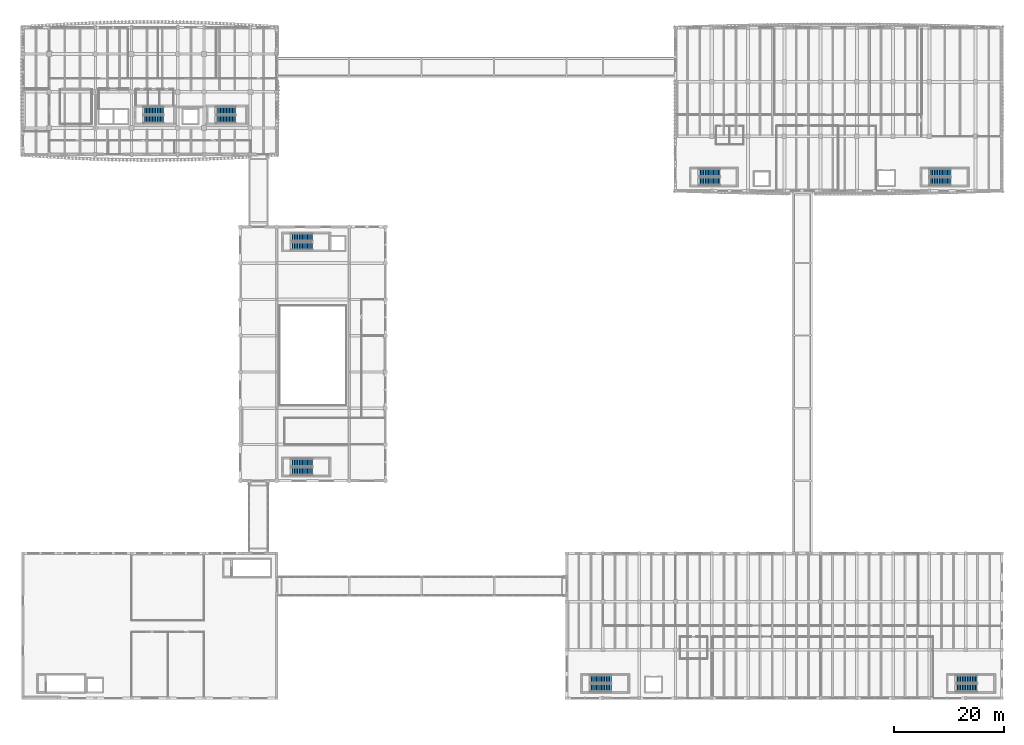
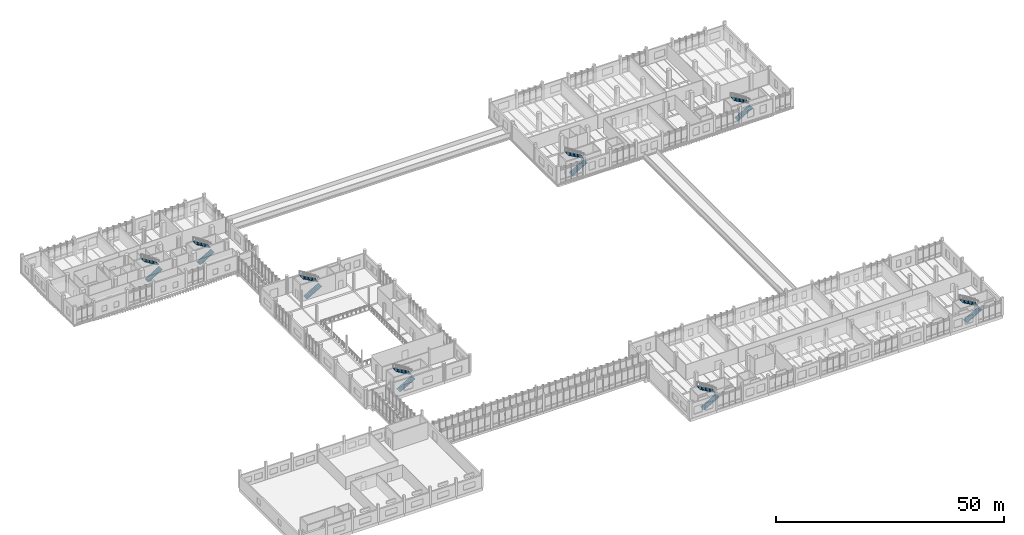
# One storey, part 79 of 101: 16 stair flights, 8 elements without a shape of their own.
"""IFC4 building model written with IfcOpenShell, lengths in metres."""

import ifcopenshell
import ifcopenshell.guid

model = None  # the IFC model being written
_history = None  # IfcOwnerHistory: only IFC2X3 demands one
_inside = {}  # id of a spatial element -> (the spatial element, [elements in it])
_under = {}  # id of a project, library or spatial element -> (it, [spatial elements below it])
_declared = {}  # id of a project -> (the project, [libraries it declares])
_typed = {}  # id of a type object -> (the type object, [elements of that type])
_made_of = {}  # id of a material, layer set ... -> (it, [elements and type objects made of it])


def new_model(schema):
    """Start an empty IFC model of exactly this schema.

    Asked for "IFC4X3", IfcOpenShell would pick the latest addendum, in which some entities
    have other attributes; the version numbers below select the first issue.
    IFC2X3 requires an IfcOwnerHistory on every rooted entity: one is made here for all.
    """
    global model, _history
    if schema == "IFC4X3":
        model = ifcopenshell.file(schema_version=(4, 3, 0, 0))
    else:
        model = ifcopenshell.file(schema=schema)
    _inside.clear()
    _under.clear()
    _declared.clear()
    _typed.clear()
    _made_of.clear()
    _history = None
    if model.schema == "IFC2X3":
        org = make("IfcOrganization", Name="unknown")
        user = make(
            "IfcPersonAndOrganization",
            ThePerson=make("IfcPerson", FamilyName="unknown"),
            TheOrganization=org,
        )
        app = make(
            "IfcApplication",
            ApplicationDeveloper=org,
            Version="unknown",
            ApplicationFullName="unknown",
            ApplicationIdentifier="unknown",
        )
        _history = make(
            "IfcOwnerHistory",
            OwningUser=user,
            OwningApplication=app,
            ChangeAction="ADDED",
            CreationDate=0,
        )
    return model


def make(cls, **values):
    """One entity of the class cls with the attributes given. An attribute that is None is left unset."""
    return model.create_entity(
        cls, **{name: value for name, value in values.items() if value is not None}
    )


def rooted(cls, **values):
    """An entity with a GlobalId (a new one), such as an element, a storey or a relation."""
    return make(cls, GlobalId=ifcopenshell.guid.new(), OwnerHistory=_history, **values)


def si_unit(unit_type, name, prefix=None):
    """IfcSIUnit, for example si_unit("LENGTHUNIT", "METRE", prefix="MILLI")."""
    return make("IfcSIUnit", UnitType=unit_type, Prefix=prefix, Name=name)


def assignment(units):
    """IfcUnitAssignment: the units of a project."""
    return None if units is None else make("IfcUnitAssignment", Units=units)


def point(xyz):
    """IfcCartesianPoint."""
    return None if xyz is None else make("IfcCartesianPoint", Coordinates=xyz)


def direction(xyz):
    """IfcDirection."""
    return None if xyz is None else make("IfcDirection", DirectionRatios=xyz)


def frame(location, z_axis=None, x_axis=None):
    """IfcAxis2Placement3D, a coordinate frame: its origin and axes. An axis left out is left unset."""
    return make(
        "IfcAxis2Placement3D",
        Location=point(location),
        Axis=direction(z_axis),
        RefDirection=direction(x_axis),
    )


def origin():
    """The frame at (0, 0, 0) with its axes left unset."""
    return frame((0.0, 0.0, 0.0))


def place(relative_to, where):
    """IfcLocalPlacement: puts the frame where relative to a parent placement (None: the world)."""
    return make(
        "IfcLocalPlacement", PlacementRelTo=relative_to, RelativePlacement=where
    )


def context(
    kind, dimensions, precision=None, world=None, true_north=None, identifier=None
):
    """IfcGeometricRepresentationContext, for example the 3D "Model" context."""
    return make(
        "IfcGeometricRepresentationContext",
        ContextIdentifier=identifier,
        ContextType=kind,
        CoordinateSpaceDimension=dimensions,
        Precision=precision,
        WorldCoordinateSystem=world,
        TrueNorth=true_north,
    )


def subcontext(parent, identifier, kind, view, scale=None):
    """IfcGeometricRepresentationSubContext, for example "Body" below "Model"."""
    return make(
        "IfcGeometricRepresentationSubContext",
        ContextIdentifier=identifier,
        ContextType=kind,
        ParentContext=parent,
        TargetScale=scale,
        TargetView=view,
    )


def project(units=None, contexts=None):
    """IfcProject with its units and contexts."""
    return rooted(
        "IfcProject",
        Name="project",
        RepresentationContexts=contexts,
        UnitsInContext=assignment(units),
    )


def spatial(cls, under=None, at=None, **own):
    """A site, building, storey or space (cls), placed at a placement, below another one or the project."""
    s = rooted(cls, ObjectPlacement=at, **own)
    if under is not None:
        _under.setdefault(under.id(), (under, []))[1].append(s)
    return s


def polyline(points):
    """IfcPolyline through the points."""
    return make("IfcPolyline", Points=[point(p) for p in points])


def outline(outer, holes=None, kind="AREA"):
    """IfcArbitraryClosedProfileDef: a profile drawn as a closed curve; with holes, ...WithVoids."""
    if holes is None:
        return make("IfcArbitraryClosedProfileDef", ProfileType=kind, OuterCurve=outer)
    return make(
        "IfcArbitraryProfileDefWithVoids",
        ProfileType=kind,
        OuterCurve=outer,
        InnerCurves=holes,
    )


def extrude(swept, where, along, depth):
    """IfcExtrudedAreaSolid: the profile swept, set in the frame where, extruded along a direction by depth."""
    return make(
        "IfcExtrudedAreaSolid",
        SweptArea=swept,
        Position=where,
        ExtrudedDirection=direction(along),
        Depth=depth,
    )


def shape(context_of_items, identifier, shape_type, items):
    """IfcShapeRepresentation: the items that make up one representation, for example the "Body"."""
    return make(
        "IfcShapeRepresentation",
        ContextOfItems=context_of_items,
        RepresentationIdentifier=identifier,
        RepresentationType=shape_type,
        Items=items,
    )


def material(Name=None, Category=None):
    """IfcMaterial."""
    return make("IfcMaterial", Name=Name, Category=Category)


def made_of(thing, what):
    """Note that an element or type object is made of a material, layer set ...; save() writes the relation."""
    if what is not None:
        _made_of.setdefault(what.id(), (what, []))[1].append(thing)
    return thing


def type_object(cls, material=None, **own):
    """A type object (cls), such as IfcWallType, which elements share."""
    return made_of(rooted(cls, **own), material)


def element(
    cls,
    number,
    at=None,
    inside=None,
    cuts=None,
    type_object=None,
    material=None,
    context=None,
    identifier="Body",
    shape_type=None,
    held_by="IfcProductDefinitionShape",
    body=None,
    shapes=None,
    **own,
):
    """One element of the class cls, such as IfcWall. Its Tag is "e" and its number.

    at: its placement. inside: the storey or other place that contains it. cuts: it is an
    opening in that element (IfcRelVoidsElement). A single representation is given by context,
    identifier, shape_type and body (its items); several are given by shapes. held_by: the class
    of the entity that holds the representations. save() writes the other relations.
    """
    e = rooted(cls, Tag="e%d" % number, ObjectPlacement=at, **own)
    if body is not None:
        shapes = [shape(context, identifier, shape_type, body)]
    if shapes is not None:
        e.Representation = make(held_by, Representations=shapes)
    if inside is not None:
        _inside.setdefault(inside.id(), (inside, []))[1].append(e)
    if cuts is not None:
        rooted(
            "IfcRelVoidsElement", RelatingBuildingElement=cuts, RelatedOpeningElement=e
        )
    if type_object is not None:
        _typed.setdefault(type_object.id(), (type_object, []))[1].append(e)
    return made_of(e, material)


def aggregate(whole, parts):
    """IfcRelAggregates: a whole, such as a stair, and the parts it consists of."""
    return rooted("IfcRelAggregates", RelatingObject=whole, RelatedObjects=parts)


def save(model, path):
    """Write the relations noted so far, then the file.

    IfcRelAggregates (storeys below a building ...), IfcRelContainedInSpatialStructure (elements
    in a storey), IfcRelDefinesByType, IfcRelAssociatesMaterial and IfcRelDeclares: one each for
    every whole, place, type object, material and project.
    """
    for whole, parts in _under.values():
        aggregate(whole, parts)
    for where, things in _inside.values():
        rooted(
            "IfcRelContainedInSpatialStructure",
            RelatedElements=things,
            RelatingStructure=where,
        )
    for kind, things in _typed.values():
        rooted("IfcRelDefinesByType", RelatedObjects=things, RelatingType=kind)
    for what, things in _made_of.values():
        rooted("IfcRelAssociatesMaterial", RelatedObjects=things, RelatingMaterial=what)
    for by, libraries in _declared.values():
        rooted("IfcRelDeclares", RelatingContext=by, RelatedDefinitions=libraries)
    model.write(path)


model = new_model("IFC4")

# Units and contexts
model_context = context("Model", 3, precision=1e-05, world=origin(), true_north=direction((0.0, 1.0)))
body_context = subcontext(model_context, "Body", "Model", "MODEL_VIEW")
ifc_project = project(units=[si_unit("LENGTHUNIT", "METRE"), si_unit("AREAUNIT", "SQUARE_METRE"), si_unit("VOLUMEUNIT", "CUBIC_METRE"), si_unit("PLANEANGLEUNIT", "RADIAN"), si_unit("MASSUNIT", "GRAM", prefix="KILO")], contexts=[model_context])

# Site, building, storey
site_placement = place(None, origin())
site = spatial("IfcSite", under=ifc_project, at=site_placement, CompositionType="ELEMENT")
building_placement = place(site_placement, origin())
building = spatial("IfcBuilding", under=site, at=building_placement, Name="Dornvale Research Institute", CompositionType="ELEMENT")
storey_placement = place(building_placement, frame((0.0, 0.0, 10.199951171875)))
storey = spatial("IfcBuildingStorey", under=building, at=storey_placement, Name="L02", CompositionType="ELEMENT", Elevation=10.199951171875)

# Stair, stair flights
ifc_material_1 = material(Name="Concrete f'c 45 MPa (C35/45)", Category="concrete")
stair_type_1 = type_object("IfcStairType", Name="HalfTurnStair_RC", PredefinedType="HALF_TURN_STAIR", material=ifc_material_1)
stair_1_placement = place(storey_placement, origin())
stair_1 = element("IfcStair", 1, at=stair_1_placement, inside=storey, type_object=stair_type_1, Name="L02 Exit stair ST-1", PredefinedType="HALF_TURN_STAIR")
ifc_material_2 = material(Name="Concrete f'c 45 MPa (C35/45)", Category="concrete")
stair_flight_type_1 = type_object("IfcStairFlightType", Name="StraightFlight_RC150", PredefinedType="STRAIGHT", material=ifc_material_2)
stair_flight_1_placement = place(storey_placement, frame((21.949951171875, 105.39990234375, 0.0), z_axis=(0.0, 0.0, 1.0), x_axis=(1.0, 0.0, 0.0)))
stair_flight_1 = element("IfcStairFlight", 2, at=stair_flight_1_placement, type_object=stair_flight_type_1, Name="ST-1 flight 1", NumberOfRisers=14, NumberOfTreads=13, PredefinedType="STRAIGHT", RiserHeight=0.171428571, TreadLength=0.28, context=body_context, shape_type="SweptSolid", body=[
    extrude(outline(polyline([(0.0, 0.0), (0.0, 0.17138671875), (0.280029296875, 0.17138671875), (0.280029296875, 0.3427734375), (0.56005859375, 0.3427734375), (0.56005859375, 0.514404296875), (0.840087890625, 0.514404296875), (0.840087890625, 0.685791015625), (1.1201171875, 0.685791015625), (1.1201171875, 0.857177734375), (1.39990234375, 0.857177734375), (1.39990234375, 1.028564453125), (1.679931640625, 1.028564453125), (1.679931640625, 1.199951171875), (1.9599609375, 1.199951171875), (1.9599609375, 1.371337890625), (2.239990234375, 1.371337890625), (2.239990234375, 1.54296875), (2.52001953125, 1.54296875), (2.52001953125, 1.71435546875), (2.800048828125, 1.71435546875), (2.800048828125, 1.8857421875), (3.080078125, 1.8857421875), (3.080078125, 2.05712890625), (3.360107421875, 2.05712890625), (3.360107421875, 2.228515625), (3.639892578125, 2.228515625), (3.639892578125, 2.39990234375), (3.639892578125, 2.052734375), (0.287109375, 0.0), (0.0, 0.0)])), frame((0.0, 0.699951171875, 0.0), z_axis=(0.0, -1.0, 0.0), x_axis=(1.0, 0.0, 0.0)), (0.0, 0.0, 1.0), 1.39990234375),
])
stair_flight_2_placement = place(storey_placement, frame((25.590087890625, 106.9599609375, 2.400146484375), z_axis=(0.0, 0.0, 1.0), x_axis=(-1.0, 0.0, 0.0)))
stair_flight_2 = element("IfcStairFlight", 3, at=stair_flight_2_placement, type_object=stair_flight_type_1, Name="ST-1 flight 2", NumberOfRisers=14, NumberOfTreads=13, PredefinedType="STRAIGHT", RiserHeight=0.171428571, TreadLength=0.28, context=body_context, shape_type="SweptSolid", body=[
    extrude(outline(polyline([(0.0, 0.0), (0.0, 0.17138671875), (0.280029296875, 0.17138671875), (0.280029296875, 0.3427734375), (0.56005859375, 0.3427734375), (0.56005859375, 0.514404296875), (0.840087890625, 0.514404296875), (0.840087890625, 0.685791015625), (1.1201171875, 0.685791015625), (1.1201171875, 0.857177734375), (1.39990234375, 0.857177734375), (1.39990234375, 1.028564453125), (1.679931640625, 1.028564453125), (1.679931640625, 1.199951171875), (1.9599609375, 1.199951171875), (1.9599609375, 1.371337890625), (2.239990234375, 1.371337890625), (2.239990234375, 1.54296875), (2.52001953125, 1.54296875), (2.52001953125, 1.71435546875), (2.800048828125, 1.71435546875), (2.800048828125, 1.8857421875), (3.080078125, 1.8857421875), (3.080078125, 2.05712890625), (3.360107421875, 2.05712890625), (3.360107421875, 2.228515625), (3.639892578125, 2.228515625), (3.639892578125, 2.39990234375), (3.639892578125, 2.052734375), (0.287109375, 0.0), (0.0, 0.0)])), frame((0.0, 0.699951171875, 0.0), z_axis=(0.0, -1.0, 0.0), x_axis=(1.0, 0.0, 0.0)), (0.0, 0.0, 1.0), 1.39990234375),
])
aggregate(stair_1, [stair_flight_1, stair_flight_2])

stair_2_placement = place(storey_placement, origin())
stair_2 = element("IfcStair", 4, at=stair_2_placement, inside=storey, type_object=stair_type_1, Name="L02 Exit stair ST-2", PredefinedType="HALF_TURN_STAIR")
stair_flight_3_placement = place(storey_placement, frame((35.10009765625, 105.39990234375, 0.0), z_axis=(0.0, 0.0, 1.0), x_axis=(1.0, 0.0, 0.0)))
stair_flight_3 = element("IfcStairFlight", 5, at=stair_flight_3_placement, type_object=stair_flight_type_1, Name="ST-2 flight 1", NumberOfRisers=14, NumberOfTreads=13, PredefinedType="STRAIGHT", RiserHeight=0.171428571, TreadLength=0.28, context=body_context, shape_type="SweptSolid", body=[
    extrude(outline(polyline([(0.0, 0.0), (0.0, 0.17138671875), (0.280029296875, 0.17138671875), (0.280029296875, 0.3427734375), (0.56005859375, 0.3427734375), (0.56005859375, 0.514404296875), (0.840087890625, 0.514404296875), (0.840087890625, 0.685791015625), (1.1201171875, 0.685791015625), (1.1201171875, 0.857177734375), (1.39990234375, 0.857177734375), (1.39990234375, 1.028564453125), (1.679931640625, 1.028564453125), (1.679931640625, 1.199951171875), (1.9599609375, 1.199951171875), (1.9599609375, 1.371337890625), (2.239990234375, 1.371337890625), (2.239990234375, 1.54296875), (2.52001953125, 1.54296875), (2.52001953125, 1.71435546875), (2.800048828125, 1.71435546875), (2.800048828125, 1.8857421875), (3.080078125, 1.8857421875), (3.080078125, 2.05712890625), (3.360107421875, 2.05712890625), (3.360107421875, 2.228515625), (3.639892578125, 2.228515625), (3.639892578125, 2.39990234375), (3.639892578125, 2.052734375), (0.287109375, 0.0), (0.0, 0.0)])), frame((0.0, 0.699951171875, 0.0), z_axis=(0.0, -1.0, 0.0), x_axis=(1.0, 0.0, 0.0)), (0.0, 0.0, 1.0), 1.39990234375),
])
stair_flight_4_placement = place(storey_placement, frame((38.739990234375, 106.9599609375, 2.400146484375), z_axis=(0.0, 0.0, 1.0), x_axis=(-1.0, 0.0, 0.0)))
stair_flight_4 = element("IfcStairFlight", 6, at=stair_flight_4_placement, type_object=stair_flight_type_1, Name="ST-2 flight 2", NumberOfRisers=14, NumberOfTreads=13, PredefinedType="STRAIGHT", RiserHeight=0.171428571, TreadLength=0.28, context=body_context, shape_type="SweptSolid", body=[
    extrude(outline(polyline([(0.0, 0.0), (0.0, 0.17138671875), (0.280029296875, 0.17138671875), (0.280029296875, 0.3427734375), (0.56005859375, 0.3427734375), (0.56005859375, 0.514404296875), (0.840087890625, 0.514404296875), (0.840087890625, 0.685791015625), (1.1201171875, 0.685791015625), (1.1201171875, 0.857177734375), (1.39990234375, 0.857177734375), (1.39990234375, 1.028564453125), (1.679931640625, 1.028564453125), (1.679931640625, 1.199951171875), (1.9599609375, 1.199951171875), (1.9599609375, 1.371337890625), (2.239990234375, 1.371337890625), (2.239990234375, 1.54296875), (2.52001953125, 1.54296875), (2.52001953125, 1.71435546875), (2.800048828125, 1.71435546875), (2.800048828125, 1.8857421875), (3.080078125, 1.8857421875), (3.080078125, 2.05712890625), (3.360107421875, 2.05712890625), (3.360107421875, 2.228515625), (3.639892578125, 2.228515625), (3.639892578125, 2.39990234375), (3.639892578125, 2.052734375), (0.287109375, 0.0), (0.0, 0.0)])), frame((0.0, 0.699951171875, 0.0), z_axis=(0.0, -1.0, 0.0), x_axis=(1.0, 0.0, 0.0)), (0.0, 0.0, 1.0), 1.39990234375),
])
aggregate(stair_2, [stair_flight_3, stair_flight_4])

stair_3_placement = place(storey_placement, origin())
stair_3 = element("IfcStair", 7, at=stair_3_placement, inside=storey, type_object=stair_type_1, Name="L02 Exit stair ST-3", PredefinedType="HALF_TURN_STAIR")
stair_flight_5_placement = place(storey_placement, frame((123.02001953125, 94.110107421875, 0.0), z_axis=(0.0, 0.0, 1.0), x_axis=(1.0, 0.0, 0.0)))
stair_flight_5 = element("IfcStairFlight", 8, at=stair_flight_5_placement, type_object=stair_flight_type_1, Name="ST-3 flight 1", NumberOfRisers=14, NumberOfTreads=13, PredefinedType="STRAIGHT", RiserHeight=0.171428571, TreadLength=0.3, context=body_context, shape_type="SweptSolid", body=[
    extrude(outline(polyline([(0.0, 0.0), (0.0, 0.17138671875), (0.300048828125, 0.17138671875), (0.300048828125, 0.3427734375), (0.60009765625, 0.3427734375), (0.60009765625, 0.514404296875), (0.89990234375, 0.514404296875), (0.89990234375, 0.685791015625), (1.199951171875, 0.685791015625), (1.199951171875, 0.857177734375), (1.5, 0.857177734375), (1.5, 1.028564453125), (1.800048828125, 1.028564453125), (1.800048828125, 1.199951171875), (2.10009765625, 1.199951171875), (2.10009765625, 1.371337890625), (2.39990234375, 1.371337890625), (2.39990234375, 1.54296875), (2.699951171875, 1.54296875), (2.699951171875, 1.71435546875), (3.0, 1.71435546875), (3.0, 1.8857421875), (3.300048828125, 1.8857421875), (3.300048828125, 2.05712890625), (3.60009765625, 2.05712890625), (3.60009765625, 2.228515625), (3.89990234375, 2.228515625), (3.89990234375, 2.39990234375), (3.89990234375, 2.055908203125), (0.30224609375, 0.0), (0.0, 0.0)])), frame((0.0, 0.7099609375, 0.0), z_axis=(0.0, -1.0, 0.0), x_axis=(1.0, 0.0, 0.0)), (0.0, 0.0, 1.0), 1.419921875),
])
stair_flight_6_placement = place(storey_placement, frame((126.919921875, 95.68994140625, 2.400146484375), z_axis=(0.0, 0.0, 1.0), x_axis=(-1.0, 0.0, 0.0)))
stair_flight_6 = element("IfcStairFlight", 9, at=stair_flight_6_placement, type_object=stair_flight_type_1, Name="ST-3 flight 2", NumberOfRisers=14, NumberOfTreads=13, PredefinedType="STRAIGHT", RiserHeight=0.171428571, TreadLength=0.3, context=body_context, shape_type="SweptSolid", body=[
    extrude(outline(polyline([(0.0, 0.0), (0.0, 0.17138671875), (0.300048828125, 0.17138671875), (0.300048828125, 0.3427734375), (0.60009765625, 0.3427734375), (0.60009765625, 0.514404296875), (0.89990234375, 0.514404296875), (0.89990234375, 0.685791015625), (1.199951171875, 0.685791015625), (1.199951171875, 0.857177734375), (1.5, 0.857177734375), (1.5, 1.028564453125), (1.800048828125, 1.028564453125), (1.800048828125, 1.199951171875), (2.10009765625, 1.199951171875), (2.10009765625, 1.371337890625), (2.39990234375, 1.371337890625), (2.39990234375, 1.54296875), (2.699951171875, 1.54296875), (2.699951171875, 1.71435546875), (3.0, 1.71435546875), (3.0, 1.8857421875), (3.300048828125, 1.8857421875), (3.300048828125, 2.05712890625), (3.60009765625, 2.05712890625), (3.60009765625, 2.228515625), (3.89990234375, 2.228515625), (3.89990234375, 2.39990234375), (3.89990234375, 2.055908203125), (0.30224609375, 0.0), (0.0, 0.0)])), frame((0.0, 0.7099609375, 0.0), z_axis=(0.0, -1.0, 0.0), x_axis=(1.0, 0.0, 0.0)), (0.0, 0.0, 1.0), 1.419921875),
])
aggregate(stair_3, [stair_flight_5, stair_flight_6])

stair_4_placement = place(storey_placement, origin())
stair_4 = element("IfcStair", 10, at=stair_4_placement, inside=storey, type_object=stair_type_1, Name="L02 Exit stair ST-4", PredefinedType="HALF_TURN_STAIR")
stair_flight_7_placement = place(storey_placement, frame((165.02001953125, 94.110107421875, 0.0), z_axis=(0.0, 0.0, 1.0), x_axis=(1.0, 0.0, 0.0)))
stair_flight_7 = element("IfcStairFlight", 11, at=stair_flight_7_placement, type_object=stair_flight_type_1, Name="ST-4 flight 1", NumberOfRisers=14, NumberOfTreads=13, PredefinedType="STRAIGHT", RiserHeight=0.171428571, TreadLength=0.3, context=body_context, shape_type="SweptSolid", body=[
    extrude(outline(polyline([(0.0, 0.0), (0.0, 0.17138671875), (0.300048828125, 0.17138671875), (0.300048828125, 0.3427734375), (0.60009765625, 0.3427734375), (0.60009765625, 0.514404296875), (0.89990234375, 0.514404296875), (0.89990234375, 0.685791015625), (1.199951171875, 0.685791015625), (1.199951171875, 0.857177734375), (1.5, 0.857177734375), (1.5, 1.028564453125), (1.800048828125, 1.028564453125), (1.800048828125, 1.199951171875), (2.10009765625, 1.199951171875), (2.10009765625, 1.371337890625), (2.39990234375, 1.371337890625), (2.39990234375, 1.54296875), (2.699951171875, 1.54296875), (2.699951171875, 1.71435546875), (3.0, 1.71435546875), (3.0, 1.8857421875), (3.300048828125, 1.8857421875), (3.300048828125, 2.05712890625), (3.60009765625, 2.05712890625), (3.60009765625, 2.228515625), (3.89990234375, 2.228515625), (3.89990234375, 2.39990234375), (3.89990234375, 2.055908203125), (0.30224609375, 0.0), (0.0, 0.0)])), frame((0.0, 0.7099609375, 0.0), z_axis=(0.0, -1.0, 0.0), x_axis=(1.0, 0.0, 0.0)), (0.0, 0.0, 1.0), 1.419921875),
])
stair_flight_8_placement = place(storey_placement, frame((168.919921875, 95.68994140625, 2.400146484375), z_axis=(0.0, 0.0, 1.0), x_axis=(-1.0, 0.0, 0.0)))
stair_flight_8 = element("IfcStairFlight", 12, at=stair_flight_8_placement, type_object=stair_flight_type_1, Name="ST-4 flight 2", NumberOfRisers=14, NumberOfTreads=13, PredefinedType="STRAIGHT", RiserHeight=0.171428571, TreadLength=0.3, context=body_context, shape_type="SweptSolid", body=[
    extrude(outline(polyline([(0.0, 0.0), (0.0, 0.17138671875), (0.300048828125, 0.17138671875), (0.300048828125, 0.3427734375), (0.60009765625, 0.3427734375), (0.60009765625, 0.514404296875), (0.89990234375, 0.514404296875), (0.89990234375, 0.685791015625), (1.199951171875, 0.685791015625), (1.199951171875, 0.857177734375), (1.5, 0.857177734375), (1.5, 1.028564453125), (1.800048828125, 1.028564453125), (1.800048828125, 1.199951171875), (2.10009765625, 1.199951171875), (2.10009765625, 1.371337890625), (2.39990234375, 1.371337890625), (2.39990234375, 1.54296875), (2.699951171875, 1.54296875), (2.699951171875, 1.71435546875), (3.0, 1.71435546875), (3.0, 1.8857421875), (3.300048828125, 1.8857421875), (3.300048828125, 2.05712890625), (3.60009765625, 2.05712890625), (3.60009765625, 2.228515625), (3.89990234375, 2.228515625), (3.89990234375, 2.39990234375), (3.89990234375, 2.055908203125), (0.30224609375, 0.0), (0.0, 0.0)])), frame((0.0, 0.7099609375, 0.0), z_axis=(0.0, -1.0, 0.0), x_axis=(1.0, 0.0, 0.0)), (0.0, 0.0, 1.0), 1.419921875),
])
aggregate(stair_4, [stair_flight_7, stair_flight_8])

stair_5_placement = place(storey_placement, origin())
stair_5 = element("IfcStair", 13, at=stair_5_placement, inside=storey, type_object=stair_type_1, Name="L02 Exit stair ST-5", PredefinedType="HALF_TURN_STAIR")
stair_flight_9_placement = place(storey_placement, frame((103.219970703125, 1.909912109375, 0.0), z_axis=(0.0, 0.0, 1.0), x_axis=(1.0, 0.0, 0.0)))
stair_flight_9 = element("IfcStairFlight", 14, at=stair_flight_9_placement, type_object=stair_flight_type_1, Name="ST-5 flight 1", NumberOfRisers=14, NumberOfTreads=13, PredefinedType="STRAIGHT", RiserHeight=0.171428571, TreadLength=0.3, context=body_context, shape_type="SweptSolid", body=[
    extrude(outline(polyline([(0.0, 0.0), (0.0, 0.17138671875), (0.300048828125, 0.17138671875), (0.300048828125, 0.3427734375), (0.60009765625, 0.3427734375), (0.60009765625, 0.514404296875), (0.89990234375, 0.514404296875), (0.89990234375, 0.685791015625), (1.199951171875, 0.685791015625), (1.199951171875, 0.857177734375), (1.5, 0.857177734375), (1.5, 1.028564453125), (1.800048828125, 1.028564453125), (1.800048828125, 1.199951171875), (2.10009765625, 1.199951171875), (2.10009765625, 1.371337890625), (2.39990234375, 1.371337890625), (2.39990234375, 1.54296875), (2.699951171875, 1.54296875), (2.699951171875, 1.71435546875), (3.0, 1.71435546875), (3.0, 1.8857421875), (3.300048828125, 1.8857421875), (3.300048828125, 2.05712890625), (3.60009765625, 2.05712890625), (3.60009765625, 2.228515625), (3.89990234375, 2.228515625), (3.89990234375, 2.39990234375), (3.89990234375, 2.055908203125), (0.30224609375, 0.0), (0.0, 0.0)])), frame((0.0, 0.7099609375, 0.0), z_axis=(0.0, -1.0, 0.0), x_axis=(1.0, 0.0, 0.0)), (0.0, 0.0, 1.0), 1.419921875),
])
stair_flight_10_placement = place(storey_placement, frame((107.1201171875, 3.489990234375, 2.400146484375), z_axis=(0.0, 0.0, 1.0), x_axis=(-1.0, 0.0, 0.0)))
stair_flight_10 = element("IfcStairFlight", 15, at=stair_flight_10_placement, type_object=stair_flight_type_1, Name="ST-5 flight 2", NumberOfRisers=14, NumberOfTreads=13, PredefinedType="STRAIGHT", RiserHeight=0.171428571, TreadLength=0.3, context=body_context, shape_type="SweptSolid", body=[
    extrude(outline(polyline([(0.0, 0.0), (0.0, 0.17138671875), (0.300048828125, 0.17138671875), (0.300048828125, 0.3427734375), (0.60009765625, 0.3427734375), (0.60009765625, 0.514404296875), (0.89990234375, 0.514404296875), (0.89990234375, 0.685791015625), (1.199951171875, 0.685791015625), (1.199951171875, 0.857177734375), (1.5, 0.857177734375), (1.5, 1.028564453125), (1.800048828125, 1.028564453125), (1.800048828125, 1.199951171875), (2.10009765625, 1.199951171875), (2.10009765625, 1.371337890625), (2.39990234375, 1.371337890625), (2.39990234375, 1.54296875), (2.699951171875, 1.54296875), (2.699951171875, 1.71435546875), (3.0, 1.71435546875), (3.0, 1.8857421875), (3.300048828125, 1.8857421875), (3.300048828125, 2.05712890625), (3.60009765625, 2.05712890625), (3.60009765625, 2.228515625), (3.89990234375, 2.228515625), (3.89990234375, 2.39990234375), (3.89990234375, 2.055908203125), (0.30224609375, 0.0), (0.0, 0.0)])), frame((0.0, 0.7099609375, 0.0), z_axis=(0.0, -1.0, 0.0), x_axis=(1.0, 0.0, 0.0)), (0.0, 0.0, 1.0), 1.419921875),
])
aggregate(stair_5, [stair_flight_9, stair_flight_10])

stair_6_placement = place(storey_placement, origin())
stair_6 = element("IfcStair", 16, at=stair_6_placement, inside=storey, type_object=stair_type_1, Name="L02 Exit stair ST-6", PredefinedType="HALF_TURN_STAIR")
stair_flight_11_placement = place(storey_placement, frame((169.820068359375, 1.909912109375, 0.0), z_axis=(0.0, 0.0, 1.0), x_axis=(1.0, 0.0, 0.0)))
stair_flight_11 = element("IfcStairFlight", 17, at=stair_flight_11_placement, type_object=stair_flight_type_1, Name="ST-6 flight 1", NumberOfRisers=14, NumberOfTreads=13, PredefinedType="STRAIGHT", RiserHeight=0.171428571, TreadLength=0.3, context=body_context, shape_type="SweptSolid", body=[
    extrude(outline(polyline([(0.0, 0.0), (0.0, 0.17138671875), (0.300048828125, 0.17138671875), (0.300048828125, 0.3427734375), (0.60009765625, 0.3427734375), (0.60009765625, 0.514404296875), (0.89990234375, 0.514404296875), (0.89990234375, 0.685791015625), (1.199951171875, 0.685791015625), (1.199951171875, 0.857177734375), (1.5, 0.857177734375), (1.5, 1.028564453125), (1.800048828125, 1.028564453125), (1.800048828125, 1.199951171875), (2.10009765625, 1.199951171875), (2.10009765625, 1.371337890625), (2.39990234375, 1.371337890625), (2.39990234375, 1.54296875), (2.699951171875, 1.54296875), (2.699951171875, 1.71435546875), (3.0, 1.71435546875), (3.0, 1.8857421875), (3.300048828125, 1.8857421875), (3.300048828125, 2.05712890625), (3.60009765625, 2.05712890625), (3.60009765625, 2.228515625), (3.89990234375, 2.228515625), (3.89990234375, 2.39990234375), (3.89990234375, 2.055908203125), (0.30224609375, 0.0), (0.0, 0.0)])), frame((0.0, 0.7099609375, 0.0), z_axis=(0.0, -1.0, 0.0), x_axis=(1.0, 0.0, 0.0)), (0.0, 0.0, 1.0), 1.419921875),
])
stair_flight_12_placement = place(storey_placement, frame((173.719970703125, 3.489990234375, 2.400146484375), z_axis=(0.0, 0.0, 1.0), x_axis=(-1.0, 0.0, 0.0)))
stair_flight_12 = element("IfcStairFlight", 18, at=stair_flight_12_placement, type_object=stair_flight_type_1, Name="ST-6 flight 2", NumberOfRisers=14, NumberOfTreads=13, PredefinedType="STRAIGHT", RiserHeight=0.171428571, TreadLength=0.3, context=body_context, shape_type="SweptSolid", body=[
    extrude(outline(polyline([(0.0, 0.0), (0.0, 0.17138671875), (0.300048828125, 0.17138671875), (0.300048828125, 0.3427734375), (0.60009765625, 0.3427734375), (0.60009765625, 0.514404296875), (0.89990234375, 0.514404296875), (0.89990234375, 0.685791015625), (1.199951171875, 0.685791015625), (1.199951171875, 0.857177734375), (1.5, 0.857177734375), (1.5, 1.028564453125), (1.800048828125, 1.028564453125), (1.800048828125, 1.199951171875), (2.10009765625, 1.199951171875), (2.10009765625, 1.371337890625), (2.39990234375, 1.371337890625), (2.39990234375, 1.54296875), (2.699951171875, 1.54296875), (2.699951171875, 1.71435546875), (3.0, 1.71435546875), (3.0, 1.8857421875), (3.300048828125, 1.8857421875), (3.300048828125, 2.05712890625), (3.60009765625, 2.05712890625), (3.60009765625, 2.228515625), (3.89990234375, 2.228515625), (3.89990234375, 2.39990234375), (3.89990234375, 2.055908203125), (0.30224609375, 0.0), (0.0, 0.0)])), frame((0.0, 0.7099609375, 0.0), z_axis=(0.0, -1.0, 0.0), x_axis=(1.0, 0.0, 0.0)), (0.0, 0.0, 1.0), 1.419921875),
])
aggregate(stair_6, [stair_flight_11, stair_flight_12])

ifc_material_3 = material(Name="Concrete f'c 45 MPa (C35/45)", Category="concrete")
stair_type_2 = type_object("IfcStairType", Name="HalfTurnStair_RC_Secondary", PredefinedType="HALF_TURN_STAIR", material=ifc_material_3)
stair_7_placement = place(storey_placement, origin())
stair_7 = element("IfcStair", 19, at=stair_7_placement, inside=storey, type_object=stair_type_2, Name="L02 Exit stair ST-7", PredefinedType="HALF_TURN_STAIR")
ifc_material_4 = material(Name="Concrete f'c 45 MPa (C35/45)", Category="concrete")
stair_flight_type_2 = type_object("IfcStairFlightType", Name="StraightFlight_RC160", PredefinedType="STRAIGHT", material=ifc_material_4)
stair_flight_13_placement = place(storey_placement, frame((48.820068359375, 41.31005859375, 0.0), z_axis=(0.0, 0.0, 1.0), x_axis=(1.0, 0.0, 0.0)))
stair_flight_13 = element("IfcStairFlight", 20, at=stair_flight_13_placement, type_object=stair_flight_type_2, Name="ST-7 flight 1", NumberOfRisers=14, NumberOfTreads=13, PredefinedType="STRAIGHT", RiserHeight=0.171428571, TreadLength=0.3, context=body_context, shape_type="SweptSolid", body=[
    extrude(outline(polyline([(0.0, 0.0), (0.0, 0.17138671875), (0.300048828125, 0.17138671875), (0.300048828125, 0.3427734375), (0.60009765625, 0.3427734375), (0.60009765625, 0.514404296875), (0.89990234375, 0.514404296875), (0.89990234375, 0.685791015625), (1.199951171875, 0.685791015625), (1.199951171875, 0.857177734375), (1.5, 0.857177734375), (1.5, 1.028564453125), (1.800048828125, 1.028564453125), (1.800048828125, 1.199951171875), (2.10009765625, 1.199951171875), (2.10009765625, 1.371337890625), (2.39990234375, 1.371337890625), (2.39990234375, 1.54296875), (2.699951171875, 1.54296875), (2.699951171875, 1.71435546875), (3.0, 1.71435546875), (3.0, 1.8857421875), (3.300048828125, 1.8857421875), (3.300048828125, 2.05712890625), (3.60009765625, 2.05712890625), (3.60009765625, 2.228515625), (3.89990234375, 2.228515625), (3.89990234375, 2.39990234375), (3.89990234375, 2.04443359375), (0.322265625, 0.0), (0.0, 0.0)])), frame((0.0, 0.7099609375, 0.0), z_axis=(0.0, -1.0, 0.0), x_axis=(1.0, 0.0, 0.0)), (0.0, 0.0, 1.0), 1.419921875),
])
stair_flight_14_placement = place(storey_placement, frame((52.719970703125, 42.889892578125, 2.400146484375), z_axis=(0.0, 0.0, 1.0), x_axis=(-1.0, 0.0, 0.0)))
stair_flight_14 = element("IfcStairFlight", 21, at=stair_flight_14_placement, type_object=stair_flight_type_2, Name="ST-7 flight 2", NumberOfRisers=14, NumberOfTreads=13, PredefinedType="STRAIGHT", RiserHeight=0.171428571, TreadLength=0.3, context=body_context, shape_type="SweptSolid", body=[
    extrude(outline(polyline([(0.0, 0.0), (0.0, 0.17138671875), (0.300048828125, 0.17138671875), (0.300048828125, 0.3427734375), (0.60009765625, 0.3427734375), (0.60009765625, 0.514404296875), (0.89990234375, 0.514404296875), (0.89990234375, 0.685791015625), (1.199951171875, 0.685791015625), (1.199951171875, 0.857177734375), (1.5, 0.857177734375), (1.5, 1.028564453125), (1.800048828125, 1.028564453125), (1.800048828125, 1.199951171875), (2.10009765625, 1.199951171875), (2.10009765625, 1.371337890625), (2.39990234375, 1.371337890625), (2.39990234375, 1.54296875), (2.699951171875, 1.54296875), (2.699951171875, 1.71435546875), (3.0, 1.71435546875), (3.0, 1.8857421875), (3.300048828125, 1.8857421875), (3.300048828125, 2.05712890625), (3.60009765625, 2.05712890625), (3.60009765625, 2.228515625), (3.89990234375, 2.228515625), (3.89990234375, 2.39990234375), (3.89990234375, 2.04443359375), (0.322265625, 0.0), (0.0, 0.0)])), frame((0.0, 0.7099609375, 0.0), z_axis=(0.0, -1.0, 0.0), x_axis=(1.0, 0.0, 0.0)), (0.0, 0.0, 1.0), 1.419921875),
])
aggregate(stair_7, [stair_flight_13, stair_flight_14])

stair_8_placement = place(storey_placement, origin())
stair_8 = element("IfcStair", 22, at=stair_8_placement, inside=storey, type_object=stair_type_2, Name="L02 Exit stair ST-8", PredefinedType="HALF_TURN_STAIR")
stair_flight_15_placement = place(storey_placement, frame((48.820068359375, 82.31005859375, 0.0), z_axis=(0.0, 0.0, 1.0), x_axis=(1.0, 0.0, 0.0)))
stair_flight_15 = element("IfcStairFlight", 23, at=stair_flight_15_placement, type_object=stair_flight_type_2, Name="ST-8 flight 1", NumberOfRisers=14, NumberOfTreads=13, PredefinedType="STRAIGHT", RiserHeight=0.171428571, TreadLength=0.3, context=body_context, shape_type="SweptSolid", body=[
    extrude(outline(polyline([(0.0, 0.0), (0.0, 0.17138671875), (0.300048828125, 0.17138671875), (0.300048828125, 0.3427734375), (0.60009765625, 0.3427734375), (0.60009765625, 0.514404296875), (0.89990234375, 0.514404296875), (0.89990234375, 0.685791015625), (1.199951171875, 0.685791015625), (1.199951171875, 0.857177734375), (1.5, 0.857177734375), (1.5, 1.028564453125), (1.800048828125, 1.028564453125), (1.800048828125, 1.199951171875), (2.10009765625, 1.199951171875), (2.10009765625, 1.371337890625), (2.39990234375, 1.371337890625), (2.39990234375, 1.54296875), (2.699951171875, 1.54296875), (2.699951171875, 1.71435546875), (3.0, 1.71435546875), (3.0, 1.8857421875), (3.300048828125, 1.8857421875), (3.300048828125, 2.05712890625), (3.60009765625, 2.05712890625), (3.60009765625, 2.228515625), (3.89990234375, 2.228515625), (3.89990234375, 2.39990234375), (3.89990234375, 2.04443359375), (0.322265625, 0.0), (0.0, 0.0)])), frame((0.0, 0.7099609375, 0.0), z_axis=(0.0, -1.0, 0.0), x_axis=(1.0, 0.0, 0.0)), (0.0, 0.0, 1.0), 1.419921875),
])
stair_flight_16_placement = place(storey_placement, frame((52.719970703125, 83.889892578125, 2.400146484375), z_axis=(0.0, 0.0, 1.0), x_axis=(-1.0, 0.0, 0.0)))
stair_flight_16 = element("IfcStairFlight", 24, at=stair_flight_16_placement, type_object=stair_flight_type_2, Name="ST-8 flight 2", NumberOfRisers=14, NumberOfTreads=13, PredefinedType="STRAIGHT", RiserHeight=0.171428571, TreadLength=0.3, context=body_context, shape_type="SweptSolid", body=[
    extrude(outline(polyline([(0.0, 0.0), (0.0, 0.17138671875), (0.300048828125, 0.17138671875), (0.300048828125, 0.3427734375), (0.60009765625, 0.3427734375), (0.60009765625, 0.514404296875), (0.89990234375, 0.514404296875), (0.89990234375, 0.685791015625), (1.199951171875, 0.685791015625), (1.199951171875, 0.857177734375), (1.5, 0.857177734375), (1.5, 1.028564453125), (1.800048828125, 1.028564453125), (1.800048828125, 1.199951171875), (2.10009765625, 1.199951171875), (2.10009765625, 1.371337890625), (2.39990234375, 1.371337890625), (2.39990234375, 1.54296875), (2.699951171875, 1.54296875), (2.699951171875, 1.71435546875), (3.0, 1.71435546875), (3.0, 1.8857421875), (3.300048828125, 1.8857421875), (3.300048828125, 2.05712890625), (3.60009765625, 2.05712890625), (3.60009765625, 2.228515625), (3.89990234375, 2.228515625), (3.89990234375, 2.39990234375), (3.89990234375, 2.04443359375), (0.322265625, 0.0), (0.0, 0.0)])), frame((0.0, 0.7099609375, 0.0), z_axis=(0.0, -1.0, 0.0), x_axis=(1.0, 0.0, 0.0)), (0.0, 0.0, 1.0), 1.419921875),
])
aggregate(stair_8, [stair_flight_15, stair_flight_16])

save(model, "model.ifc")
